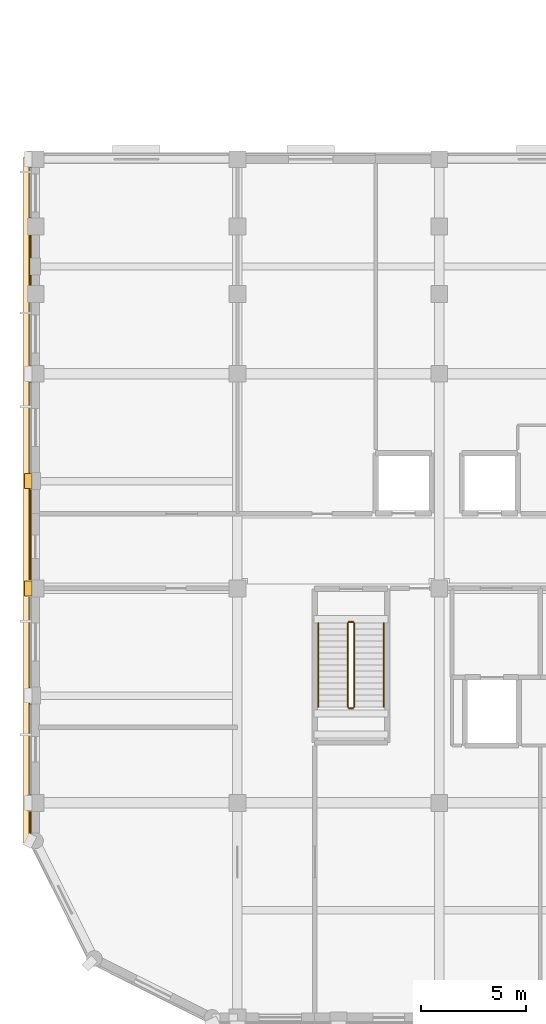
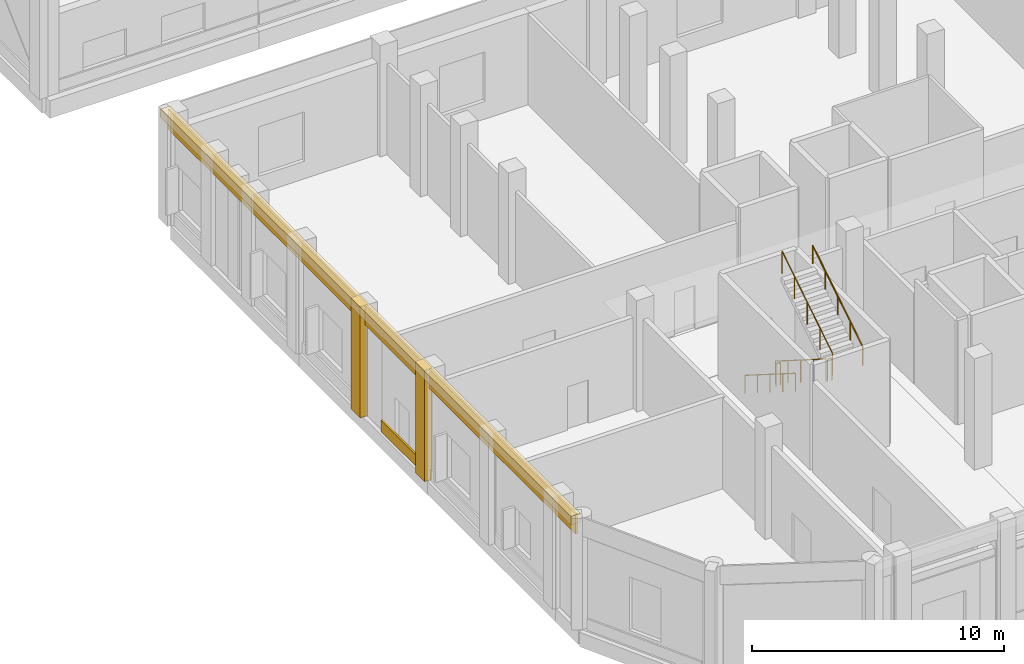
# One storey, part 117 of 137: 6 railings, 5 coverings.
"""IFC4 building model written with IfcOpenShell, lengths in metres."""

from ifc_helpers import new_model, si_unit, direction, frame, origin, origin_2d, place, context, subcontext, project, spatial, rectangle, circle, extrude, material, layer, layer_set, type_object, element, save


model = new_model("IFC4")

# Units and contexts
model_context = context("Model", 3, precision=1e-05, world=origin(), true_north=direction((0.0, 1.0)))
body_context = subcontext(model_context, "Body", "Model", "MODEL_VIEW")
ifc_project = project(units=[si_unit("LENGTHUNIT", "METRE"), si_unit("AREAUNIT", "SQUARE_METRE"), si_unit("VOLUMEUNIT", "CUBIC_METRE"), si_unit("PLANEANGLEUNIT", "RADIAN"), si_unit("MASSUNIT", "GRAM", prefix="KILO")], contexts=[model_context])

# Site, building, storey
site_placement = place(None, origin())
site = spatial("IfcSite", under=ifc_project, at=site_placement, CompositionType="ELEMENT")
building_placement = place(site_placement, origin())
building = spatial("IfcBuilding", under=site, at=building_placement, Name="Vondelvale Polytechnic", CompositionType="ELEMENT")
storey_placement = place(building_placement, origin())
storey = spatial("IfcBuildingStorey", under=building, at=storey_placement, Name="L00", CompositionType="ELEMENT", Elevation=0.0)

# Coverings
ifc_material_1 = material(Name="Malmsbury bluestone ashlar stone masonry", Category="masonry")
ifc_layer_1 = layer(ifc_material_1, 0.080078125)
ifc_layer_set_1 = layer_set([ifc_layer_1], Name="COV-BLUESTONE-PLINTH")
covering_type = type_object("IfcCoveringType", Name="COV-BLUESTONE-PLINTH", PredefinedType="CLADDING", material=ifc_layer_set_1)
covering_1_placement = place(storey_placement, frame((-0.260009765625, 24.60009765625, 4.43994140625), z_axis=(0.0, 0.0, 1.0), x_axis=(0.0, 1.0, 0.0)))
element("IfcCovering", 1, at=covering_1_placement, inside=storey, type_object=covering_type, Name="L00 exterior masonry spandrel band", PredefinedType="CLADDING", context=body_context, shape_type="SweptSolid", body=[
    extrude(rectangle(XDim=32.39990234375, YDim=0.080078125, at=origin_2d()), origin(), (0.0, 0.0, 1.0), 0.9599609375),
])
covering_2_placement = place(storey_placement, frame((-0.236083984375, 22.37548828125, 0.0), z_axis=(0.0, 0.0, 1.0), x_axis=(0.0, 1.0, 0.0)))
element("IfcCovering", 2, at=covering_2_placement, inside=storey, type_object=covering_type, Name="L00 exterior corbelled masonry relief band", PredefinedType="CLADDING", context=body_context, shape_type="SweptSolid", body=[
    extrude(rectangle(XDim=3.089111328125, YDim=0.080078125, at=origin_2d()), origin(), (0.0, 0.0, 1.0), 0.550048828125),
])
for number, where, z_axis, x_axis, name in (
    (3, (-0.340087890625, 20.39990234375, 0.0), (0.0, 0.0, 1.0), (1.0, 0.0, 0.0), "L00 Classical street pilaster"),
    (4, (-0.340087890625, 25.5, 0.0), (0.0, 0.0, 1.0), (1.0, 0.0, 0.0), "L00 Classical street pilaster"),
):
    element("IfcCovering", number, at=place(storey_placement, frame(where, z_axis=z_axis, x_axis=x_axis)), inside=storey, type_object=covering_type, Name=name, PredefinedType="CLADDING", context=body_context, shape_type="SweptSolid", body=[
        extrude(rectangle(XDim=0.360107421875, YDim=0.719970703125, at=origin_2d()), origin(), (0.0, 0.0, 1.0), 5.39990234375),
    ])
covering_3_placement = place(storey_placement, frame((-0.360107421875, 24.60009765625, 5.0400390625), z_axis=(0.0, 0.0, 1.0), x_axis=(1.0, 0.0, 0.0)))
element("IfcCovering", 5, at=covering_3_placement, inside=storey, type_object=covering_type, Name="L00 Classical bluestone podium cornice W", PredefinedType="CLADDING", context=body_context, shape_type="SweptSolid", body=[
    extrude(rectangle(XDim=0.43994140625, YDim=32.60009765625, at=origin_2d()), origin(), (0.0, 0.0, 1.0), 0.419921875),
])

# Railings
ifc_material_2 = material(Name="Brushed architectural stainless and zinc-coated metal")
ifc_layer_2 = layer(ifc_material_2, 0.050048828125)
ifc_layer_set_2 = layer_set([ifc_layer_2], Name="RL-STAIR-GUARD")
railing_type_1 = type_object("IfcRailingType", Name="RL-STAIR-GUARD", PredefinedType="GUARDRAIL", material=ifc_layer_set_2)
railing_1_placement = place(storey_placement, frame((14.85009765625, 18.75, 0.179931640625)))
element("IfcRailing", 6, at=railing_1_placement, inside=storey, type_object=railing_type_1, Name="L00 ST-03 stair guard 1", PredefinedType="GUARDRAIL", context=body_context, shape_type="SweptSolid", body=[
    extrude(circle(Radius=0.02392578125, at=origin_2d()), frame((0.0, 0.0, 1.076171875), z_axis=(0.0, -0.845486444383, 0.533996884227), x_axis=(1.0, 0.0, 0.0)), (0.0, 0.0, 1.0), 4.71923828125),
    extrude(circle(Radius=0.02099609375, at=origin_2d()), origin(), (0.0, 0.0, 1.0), 1.052001953125),
    extrude(circle(Radius=0.02099609375, at=origin_2d()), frame((0.0, -0.99755859375, 0.6298828125)), (0.0, 0.0, 1.0), 1.052001953125),
    extrude(circle(Radius=0.02099609375, at=origin_2d()), frame((0.0, -1.9951171875, 1.260009765625)), (0.0, 0.0, 1.0), 1.052001953125),
    extrude(circle(Radius=0.02099609375, at=origin_2d()), frame((0.0, -2.992431640625, 1.89013671875)), (0.0, 0.0, 1.0), 1.052001953125),
    extrude(circle(Radius=0.02099609375, at=origin_2d()), frame((0.0, -3.989990234375, 2.52001953125)), (0.0, 0.0, 1.0), 1.052001953125),
])
railing_2_placement = place(storey_placement, frame((14.89990234375, 14.7099609375, 2.699951171875)))
element("IfcRailing", 7, at=railing_2_placement, inside=storey, type_object=railing_type_1, Name="L00 ST-03 stair guard 2", PredefinedType="GUARDRAIL", context=body_context, shape_type="SweptSolid", body=[
    extrude(circle(Radius=0.02392578125, at=origin_2d()), frame((0.0, 0.0, 1.076171875), z_axis=(1.0, 0.0, 0.0), x_axis=(0.0, 1.0, 0.0)), (0.0, 0.0, 1.0), 0.2001953125),
    extrude(circle(Radius=0.02099609375, at=origin_2d()), origin(), (0.0, 0.0, 1.0), 1.052001953125),
    extrude(circle(Radius=0.02099609375, at=origin_2d()), frame((0.2001953125, 0.0, 0.0)), (0.0, 0.0, 1.0), 1.052001953125),
])
railing_3_placement = place(storey_placement, frame((15.14990234375, 14.760009765625, 2.8798828125)))
element("IfcRailing", 8, at=railing_3_placement, inside=storey, type_object=railing_type_1, Name="L00 ST-03 stair guard 3", PredefinedType="GUARDRAIL", context=body_context, shape_type="SweptSolid", body=[
    extrude(circle(Radius=0.02392578125, at=origin_2d()), frame((0.0, 0.0, 1.076171875), z_axis=(0.0, 0.845486444383, 0.533996884227), x_axis=(-1.0, 0.0, 0.0)), (0.0, 0.0, 1.0), 4.71923828125),
    extrude(circle(Radius=0.02099609375, at=origin_2d()), origin(), (0.0, 0.0, 1.0), 1.052001953125),
    extrude(circle(Radius=0.02099609375, at=origin_2d()), frame((0.0, 0.99755859375, 0.6298828125)), (0.0, 0.0, 1.0), 1.052001953125),
    extrude(circle(Radius=0.02099609375, at=origin_2d()), frame((0.0, 1.9951171875, 1.260009765625)), (0.0, 0.0, 1.0), 1.052001953125),
    extrude(circle(Radius=0.02099609375, at=origin_2d()), frame((0.0, 2.992431640625, 1.89013671875)), (0.0, 0.0, 1.0), 1.052001953125),
    extrude(circle(Radius=0.02099609375, at=origin_2d()), frame((0.0, 3.989990234375, 2.52001953125)), (0.0, 0.0, 1.0), 1.052001953125),
])
railing_4_placement = place(storey_placement, frame((14.89990234375, 18.800048828125, 0.0)))
element("IfcRailing", 9, at=railing_4_placement, inside=storey, type_object=railing_type_1, Name="L00 ST-03 stair guard 4", PredefinedType="GUARDRAIL", context=body_context, shape_type="SweptSolid", body=[
    extrude(circle(Radius=0.02392578125, at=origin_2d()), frame((0.0, 0.0, 1.076171875), z_axis=(1.0, 0.0, 0.0), x_axis=(0.0, 1.0, 0.0)), (0.0, 0.0, 1.0), 0.2001953125),
    extrude(circle(Radius=0.02099609375, at=origin_2d()), origin(), (0.0, 0.0, 1.0), 1.052001953125),
    extrude(circle(Radius=0.02099609375, at=origin_2d()), frame((0.2001953125, 0.0, 0.0)), (0.0, 0.0, 1.0), 1.052001953125),
])
ifc_layer_3 = layer(ifc_material_2, 0.048095703125)
ifc_layer_set_3 = layer_set([ifc_layer_3], Name="RL-STAIR-HANDRAIL")
railing_type_2 = type_object("IfcRailingType", Name="RL-STAIR-HANDRAIL", PredefinedType="HANDRAIL", material=ifc_layer_set_3)
railing_5_placement = place(storey_placement, frame((13.449951171875, 18.75, 0.179931640625)))
element("IfcRailing", 10, at=railing_5_placement, inside=storey, type_object=railing_type_2, Name="L00 ST-03 stair handrail 1", PredefinedType="HANDRAIL", context=body_context, shape_type="SweptSolid", body=[
    extrude(circle(Radius=0.02392578125, at=origin_2d()), frame((0.0, 0.0, 0.8759765625), z_axis=(0.0, -0.845486444383, 0.533996884227), x_axis=(1.0, 0.0, 0.0)), (0.0, 0.0, 1.0), 4.71923828125),
    extrude(circle(Radius=0.02099609375, at=origin_2d()), origin(), (0.0, 0.0, 1.0), 0.851806640625),
    extrude(circle(Radius=0.02099609375, at=origin_2d()), frame((0.0, -0.99755859375, 0.6298828125)), (0.0, 0.0, 1.0), 0.851806640625),
    extrude(circle(Radius=0.02099609375, at=origin_2d()), frame((0.0, -1.9951171875, 1.260009765625)), (0.0, 0.0, 1.0), 0.851806640625),
    extrude(circle(Radius=0.02099609375, at=origin_2d()), frame((0.0, -2.992431640625, 1.89013671875)), (0.0, 0.0, 1.0), 0.851806640625),
    extrude(circle(Radius=0.02099609375, at=origin_2d()), frame((0.0, -3.989990234375, 2.52001953125)), (0.0, 0.0, 1.0), 0.851806640625),
])
railing_6_placement = place(storey_placement, frame((16.550048828125, 14.760009765625, 2.8798828125)))
element("IfcRailing", 11, at=railing_6_placement, inside=storey, type_object=railing_type_2, Name="L00 ST-03 stair handrail 2", PredefinedType="HANDRAIL", context=body_context, shape_type="SweptSolid", body=[
    extrude(circle(Radius=0.02392578125, at=origin_2d()), frame((0.0, 0.0, 0.8759765625), z_axis=(0.0, 0.845486444383, 0.533996884227), x_axis=(-1.0, 0.0, 0.0)), (0.0, 0.0, 1.0), 4.71923828125),
    extrude(circle(Radius=0.02099609375, at=origin_2d()), origin(), (0.0, 0.0, 1.0), 0.851806640625),
    extrude(circle(Radius=0.02099609375, at=origin_2d()), frame((0.0, 0.99755859375, 0.6298828125)), (0.0, 0.0, 1.0), 0.851806640625),
    extrude(circle(Radius=0.02099609375, at=origin_2d()), frame((0.0, 1.9951171875, 1.260009765625)), (0.0, 0.0, 1.0), 0.851806640625),
    extrude(circle(Radius=0.02099609375, at=origin_2d()), frame((0.0, 2.992431640625, 1.89013671875)), (0.0, 0.0, 1.0), 0.851806640625),
    extrude(circle(Radius=0.02099609375, at=origin_2d()), frame((0.0, 3.989990234375, 2.52001953125)), (0.0, 0.0, 1.0), 0.851806640625),
])

save(model, "model.ifc")
